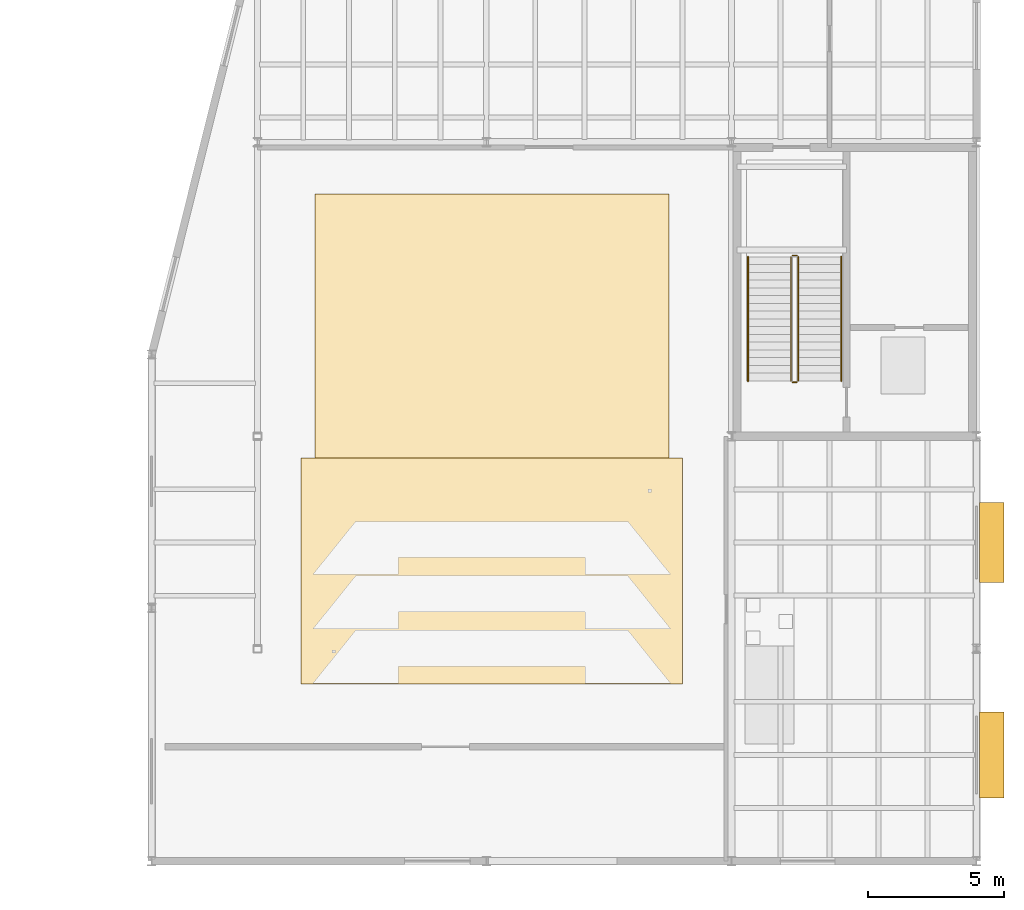
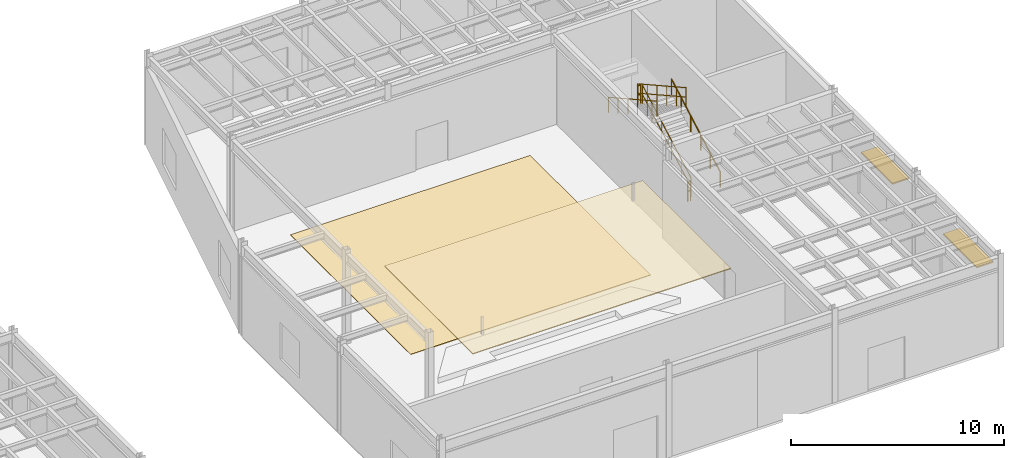
# One storey, part 86 of 87: 6 railings, 2 coverings, 2 shading devices.
"""IFC4 building model written with IfcOpenShell, lengths in metres."""

from ifc_helpers import new_model, si_unit, direction, frame, origin, origin_2d, place, context, subcontext, project, spatial, polyline, rectangle, circle, outline, extrude, material, layer, layer_set, type_object, element, save


model = new_model("IFC4")

# Units and contexts
model_context = context("Model", 3, precision=1e-05, world=origin(), true_north=direction((0.0, 1.0)))
body_context = subcontext(model_context, "Body", "Model", "MODEL_VIEW")
ifc_project = project(units=[si_unit("LENGTHUNIT", "METRE"), si_unit("AREAUNIT", "SQUARE_METRE"), si_unit("VOLUMEUNIT", "CUBIC_METRE"), si_unit("PLANEANGLEUNIT", "RADIAN"), si_unit("MASSUNIT", "GRAM", prefix="KILO")], contexts=[model_context])

# Site, building, storey
site_placement = place(None, origin())
site = spatial("IfcSite", under=ifc_project, at=site_placement, CompositionType="ELEMENT")
building_placement = place(site_placement, origin())
building = spatial("IfcBuilding", under=site, at=building_placement, Name="Selat Folded Stagehouse", CompositionType="ELEMENT")
storey_placement = place(building_placement, origin())
storey = spatial("IfcBuildingStorey", under=building, at=storey_placement, Name="L00", CompositionType="ELEMENT", Elevation=0.0)

# Coverings
ifc_material_1 = material(Name="Acoustic perforated timber and mineral wool", Category="wood")
ifc_layer_1 = layer(ifc_material_1, 0.050048828125)
ifc_layer_set_1 = layer_set([ifc_layer_1], Name="Acoustic perforated timber and mineral wool")
covering_type_1 = type_object("IfcCoveringType", Name="COV-CEIL-AC50", PredefinedType="CEILING", material=ifc_layer_set_1)
covering_1_placement = place(storey_placement, frame((0.0, 0.0, 4.25)))
element("IfcCovering", 1, at=covering_1_placement, inside=storey, type_object=covering_type_1, Name="L00 suspended acoustic ceiling CLG-L00-STU", PredefinedType="CEILING", context=body_context, shape_type="SweptSolid", body=[
    extrude(outline(polyline([(136.0, 6.5), (150.0, 6.5), (150.0, 14.800048828125), (136.0, 14.800048828125), (136.0, 6.5)])), origin(), (0.0, 0.0, 1.0), 0.050048828125),
])
ifc_material_2 = material(Name="Sprung black-stained oak stage and studio flooring", Category="wood")
ifc_layer_2 = layer(ifc_material_2, 0.02490234375)
ifc_layer_set_2 = layer_set([ifc_layer_2], Name="Sprung black-stained oak stage and studio flooring")
covering_type_2 = type_object("IfcCoveringType", Name="COV-FLR-TIM25", PredefinedType="FLOORING", material=ifc_layer_set_2)
covering_2_placement = place(storey_placement, origin())
element("IfcCovering", 2, at=covering_2_placement, inside=storey, type_object=covering_type_2, Name="L00 sprung oak stage flooring FLR-L00-STU", PredefinedType="FLOORING", context=body_context, shape_type="SweptSolid", body=[
    extrude(outline(polyline([(136.5, 13.199951171875), (149.5, 13.199951171875), (149.5, 24.5), (136.5, 24.5), (136.5, 13.199951171875)])), origin(), (0.0, 0.0, 1.0), 0.02490234375),
])

# Railings
ifc_material_3 = material(Name="Bronze-anodised steel balustrade", Category="steel")
ifc_layer_3 = layer(ifc_material_3, 0.06494140625)
ifc_layer_set_3 = layer_set([ifc_layer_3], Name="Bronze-anodised steel balustrade")
railing_type_1 = type_object("IfcRailingType", Name="RLG-BAL-1120", PredefinedType="BALUSTRADE", material=ifc_layer_set_3)
railing_1_placement = place(storey_placement, frame((154.25, 17.6298828125, 0.158935546875)))
element("IfcRailing", 3, at=railing_1_placement, inside=storey, type_object=railing_type_1, Name="L00 ST-04 stair well guard 1", PredefinedType="BALUSTRADE", context=body_context, shape_type="SweptSolid", body=[
    extrude(circle(Radius=0.02392578125, at=origin_2d()), frame((0.0, 0.0, 1.09619140625), z_axis=(0.0, 0.873534455015, 0.486762319723), x_axis=(-1.0, 0.0, 0.0)), (0.0, 0.0, 1.0), 5.22021484375),
    extrude(circle(Radius=0.02392578125, at=origin_2d()), frame((0.0, 0.0, 0.56005859375), z_axis=(0.0, 0.873534455015, 0.486762319723), x_axis=(-1.0, 0.0, 0.0)), (0.0, 0.0, 1.0), 5.22021484375),
    extrude(circle(Radius=0.02099609375, at=origin_2d()), origin(), (0.0, 0.0, 1.0), 1.072021484375),
    extrude(circle(Radius=0.02099609375, at=origin_2d()), frame((0.0, 0.912109375, 0.50830078125)), (0.0, 0.0, 1.0), 1.072021484375),
    extrude(circle(Radius=0.02099609375, at=origin_2d()), frame((0.0, 1.823974609375, 1.016357421875)), (0.0, 0.0, 1.0), 1.072021484375),
    extrude(circle(Radius=0.02099609375, at=origin_2d()), frame((0.0, 2.736083984375, 1.524658203125)), (0.0, 0.0, 1.0), 1.072021484375),
    extrude(circle(Radius=0.02099609375, at=origin_2d()), frame((0.0, 3.64794921875, 2.03271484375)), (0.0, 0.0, 1.0), 1.072021484375),
    extrude(circle(Radius=0.02099609375, at=origin_2d()), frame((0.0, 4.56005859375, 2.541015625)), (0.0, 0.0, 1.0), 1.072021484375),
])
railing_2_placement = place(storey_placement, frame((154.199951171875, 22.239990234375, 2.699951171875)))
element("IfcRailing", 4, at=railing_2_placement, inside=storey, type_object=railing_type_1, Name="L00 ST-04 stair well guard 2", PredefinedType="BALUSTRADE", context=body_context, shape_type="SweptSolid", body=[
    extrude(circle(Radius=0.02392578125, at=origin_2d()), frame((0.0, 0.0, 1.09619140625), z_axis=(-1.0, 0.0, 0.0), x_axis=(0.0, -1.0, 0.0)), (0.0, 0.0, 1.0), 0.159912109375),
    extrude(circle(Radius=0.02392578125, at=origin_2d()), frame((0.0, 0.0, 0.56005859375), z_axis=(-1.0, 0.0, 0.0), x_axis=(0.0, -1.0, 0.0)), (0.0, 0.0, 1.0), 0.159912109375),
    extrude(circle(Radius=0.02099609375, at=origin_2d()), origin(), (0.0, 0.0, 1.0), 1.072021484375),
    extrude(circle(Radius=0.02099609375, at=origin_2d()), frame((-0.159912109375, 0.0, 0.0)), (0.0, 0.0, 1.0), 1.072021484375),
])
railing_3_placement = place(storey_placement, frame((153.989990234375, 22.18994140625, 2.85888671875)))
element("IfcRailing", 5, at=railing_3_placement, inside=storey, type_object=railing_type_1, Name="L00 ST-04 stair well guard 3", PredefinedType="BALUSTRADE", context=body_context, shape_type="SweptSolid", body=[
    extrude(circle(Radius=0.02392578125, at=origin_2d()), frame((0.0, 0.0, 1.09619140625), z_axis=(0.0, -0.873534455015, 0.486762319723), x_axis=(1.0, 0.0, 0.0)), (0.0, 0.0, 1.0), 5.22021484375),
    extrude(circle(Radius=0.02392578125, at=origin_2d()), frame((0.0, 0.0, 0.56005859375), z_axis=(0.0, -0.873534455015, 0.486762319723), x_axis=(1.0, 0.0, 0.0)), (0.0, 0.0, 1.0), 5.22021484375),
    extrude(circle(Radius=0.02099609375, at=origin_2d()), origin(), (0.0, 0.0, 1.0), 1.072021484375),
    extrude(circle(Radius=0.02099609375, at=origin_2d()), frame((0.0, -0.912109375, 0.50830078125)), (0.0, 0.0, 1.0), 1.072021484375),
    extrude(circle(Radius=0.02099609375, at=origin_2d()), frame((0.0, -1.823974609375, 1.016357421875)), (0.0, 0.0, 1.0), 1.072021484375),
    extrude(circle(Radius=0.02099609375, at=origin_2d()), frame((0.0, -2.736083984375, 1.524658203125)), (0.0, 0.0, 1.0), 1.072021484375),
    extrude(circle(Radius=0.02099609375, at=origin_2d()), frame((0.0, -3.64794921875, 2.03271484375)), (0.0, 0.0, 1.0), 1.072021484375),
    extrude(circle(Radius=0.02099609375, at=origin_2d()), frame((0.0, -4.56005859375, 2.541015625)), (0.0, 0.0, 1.0), 1.072021484375),
])
railing_4_placement = place(storey_placement, frame((154.199951171875, 17.580078125, 0.0)))
element("IfcRailing", 6, at=railing_4_placement, inside=storey, type_object=railing_type_1, Name="L00 ST-04 stair well guard 4", PredefinedType="BALUSTRADE", context=body_context, shape_type="SweptSolid", body=[
    extrude(circle(Radius=0.02392578125, at=origin_2d()), frame((0.0, 0.0, 1.09619140625), z_axis=(-1.0, 0.0, 0.0), x_axis=(0.0, -1.0, 0.0)), (0.0, 0.0, 1.0), 0.159912109375),
    extrude(circle(Radius=0.02392578125, at=origin_2d()), frame((0.0, 0.0, 0.56005859375), z_axis=(-1.0, 0.0, 0.0), x_axis=(0.0, -1.0, 0.0)), (0.0, 0.0, 1.0), 0.159912109375),
    extrude(circle(Radius=0.02099609375, at=origin_2d()), origin(), (0.0, 0.0, 1.0), 1.072021484375),
    extrude(circle(Radius=0.02099609375, at=origin_2d()), frame((-0.159912109375, 0.0, 0.0)), (0.0, 0.0, 1.0), 1.072021484375),
])
ifc_material_4 = material(Name="Brushed stainless steel 1.4301", Category="steel")
ifc_layer_4 = layer(ifc_material_4, 0.048095703125)
ifc_layer_set_4 = layer_set([ifc_layer_4], Name="Brushed stainless steel 1.4301")
railing_type_2 = type_object("IfcRailingType", Name="RLG-HANDRAIL-900", PredefinedType="HANDRAIL", material=ifc_layer_set_4)
railing_5_placement = place(storey_placement, frame((155.830078125, 17.6298828125, 0.158935546875)))
element("IfcRailing", 7, at=railing_5_placement, inside=storey, type_object=railing_type_2, Name="L00 ST-04 wall handrail 1", PredefinedType="HANDRAIL", context=body_context, shape_type="SweptSolid", body=[
    extrude(circle(Radius=0.02392578125, at=origin_2d()), frame((0.0, 0.0, 0.8759765625), z_axis=(0.0, 0.873534455015, 0.486762319723), x_axis=(-1.0, 0.0, 0.0)), (0.0, 0.0, 1.0), 5.22021484375),
    extrude(circle(Radius=0.02099609375, at=origin_2d()), origin(), (0.0, 0.0, 1.0), 0.851806640625),
    extrude(circle(Radius=0.02099609375, at=origin_2d()), frame((0.0, 0.912109375, 0.50830078125)), (0.0, 0.0, 1.0), 0.851806640625),
    extrude(circle(Radius=0.02099609375, at=origin_2d()), frame((0.0, 1.823974609375, 1.016357421875)), (0.0, 0.0, 1.0), 0.851806640625),
    extrude(circle(Radius=0.02099609375, at=origin_2d()), frame((0.0, 2.736083984375, 1.524658203125)), (0.0, 0.0, 1.0), 0.851806640625),
    extrude(circle(Radius=0.02099609375, at=origin_2d()), frame((0.0, 3.64794921875, 2.03271484375)), (0.0, 0.0, 1.0), 0.851806640625),
    extrude(circle(Radius=0.02099609375, at=origin_2d()), frame((0.0, 4.56005859375, 2.541015625)), (0.0, 0.0, 1.0), 0.851806640625),
])
railing_6_placement = place(storey_placement, frame((152.409912109375, 22.18994140625, 2.85888671875)))
element("IfcRailing", 8, at=railing_6_placement, inside=storey, type_object=railing_type_2, Name="L00 ST-04 wall handrail 2", PredefinedType="HANDRAIL", context=body_context, shape_type="SweptSolid", body=[
    extrude(circle(Radius=0.02392578125, at=origin_2d()), frame((0.0, 0.0, 0.8759765625), z_axis=(0.0, -0.873534455015, 0.486762319723), x_axis=(1.0, 0.0, 0.0)), (0.0, 0.0, 1.0), 5.22021484375),
    extrude(circle(Radius=0.02099609375, at=origin_2d()), origin(), (0.0, 0.0, 1.0), 0.851806640625),
    extrude(circle(Radius=0.02099609375, at=origin_2d()), frame((0.0, -0.912109375, 0.50830078125)), (0.0, 0.0, 1.0), 0.851806640625),
    extrude(circle(Radius=0.02099609375, at=origin_2d()), frame((0.0, -1.823974609375, 1.016357421875)), (0.0, 0.0, 1.0), 0.851806640625),
    extrude(circle(Radius=0.02099609375, at=origin_2d()), frame((0.0, -2.736083984375, 1.524658203125)), (0.0, 0.0, 1.0), 0.851806640625),
    extrude(circle(Radius=0.02099609375, at=origin_2d()), frame((0.0, -3.64794921875, 2.03271484375)), (0.0, 0.0, 1.0), 0.851806640625),
    extrude(circle(Radius=0.02099609375, at=origin_2d()), frame((0.0, -4.56005859375, 2.541015625)), (0.0, 0.0, 1.0), 0.851806640625),
])

# Shading devices
ifc_material_5 = material(Name="Bronze-anodised aluminium 6063-T6", Category="aluminium")
ifc_layer_5 = layer(ifc_material_5, 0.074951171875)
ifc_layer_set_5 = layer_set([ifc_layer_5], Name="Bronze-anodised aluminium 6063-T6")
shading_device_type = type_object("IfcShadingDeviceType", Name="SHD-HOOD-900x75", PredefinedType="USERDEFINED", material=ifc_layer_set_5)
shading_device_1_placement = place(storey_placement, frame((161.357421875, 11.699951171875, 3.0126953125), z_axis=(0.0, 0.0, 1.0), x_axis=(0.0, -1.0, 0.0)))
element("IfcShadingDevice", 9, at=shading_device_1_placement, inside=storey, type_object=shading_device_type, Name="L00 monsoon window sunhood 01", ObjectType="SUNSHADE", PredefinedType="USERDEFINED", context=body_context, shape_type="SweptSolid", body=[
    extrude(rectangle(XDim=2.949951171875, YDim=0.89990234375, at=origin_2d()), origin(), (0.0, 0.0, 1.0), 0.074951171875),
])
shading_device_2_placement = place(storey_placement, frame((161.357421875, 3.89990234375, 3.0126953125), z_axis=(0.0, 0.0, 1.0), x_axis=(0.0, -1.0, 0.0)))
element("IfcShadingDevice", 10, at=shading_device_2_placement, inside=storey, type_object=shading_device_type, Name="L00 monsoon window sunhood 02", ObjectType="SUNSHADE", PredefinedType="USERDEFINED", context=body_context, shape_type="SweptSolid", body=[
    extrude(rectangle(XDim=3.14990234375, YDim=0.89990234375, at=origin_2d()), origin(), (0.0, 0.0, 1.0), 0.074951171875),
])

save(model, "model.ifc")
